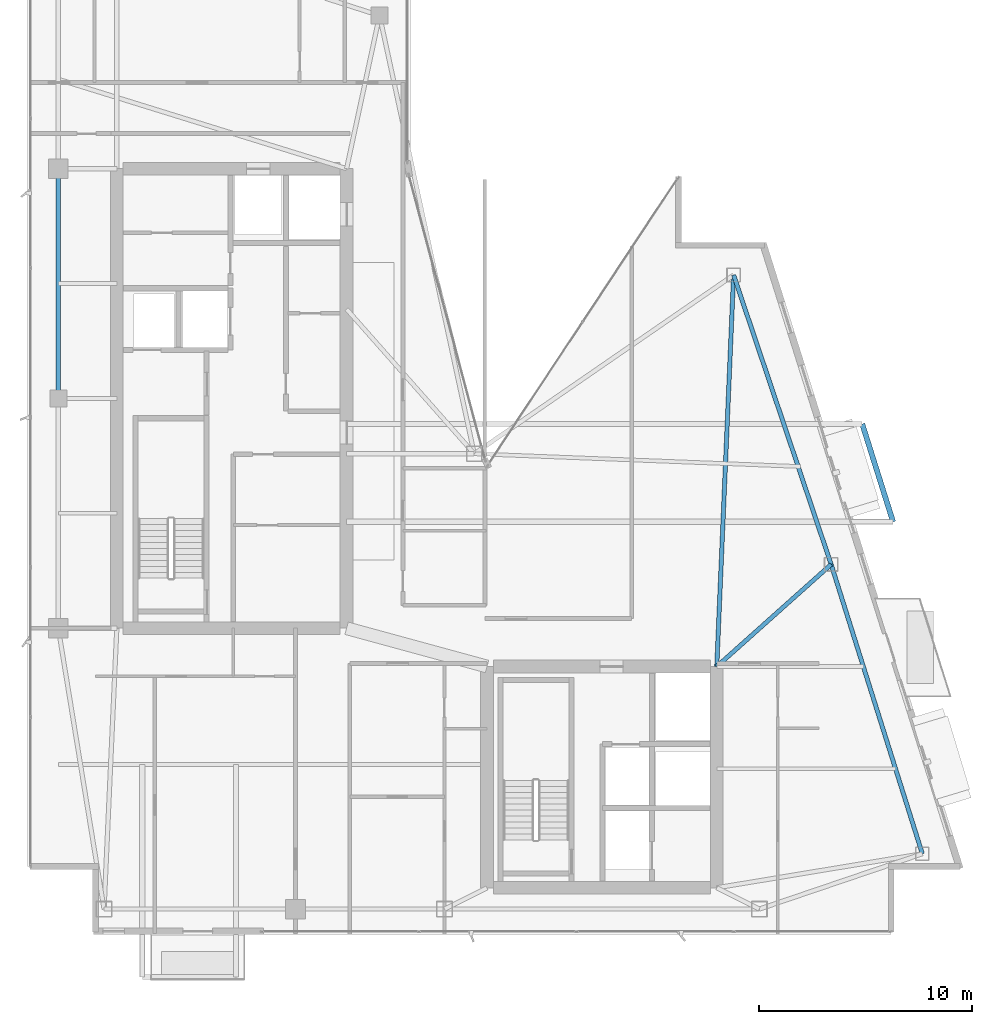
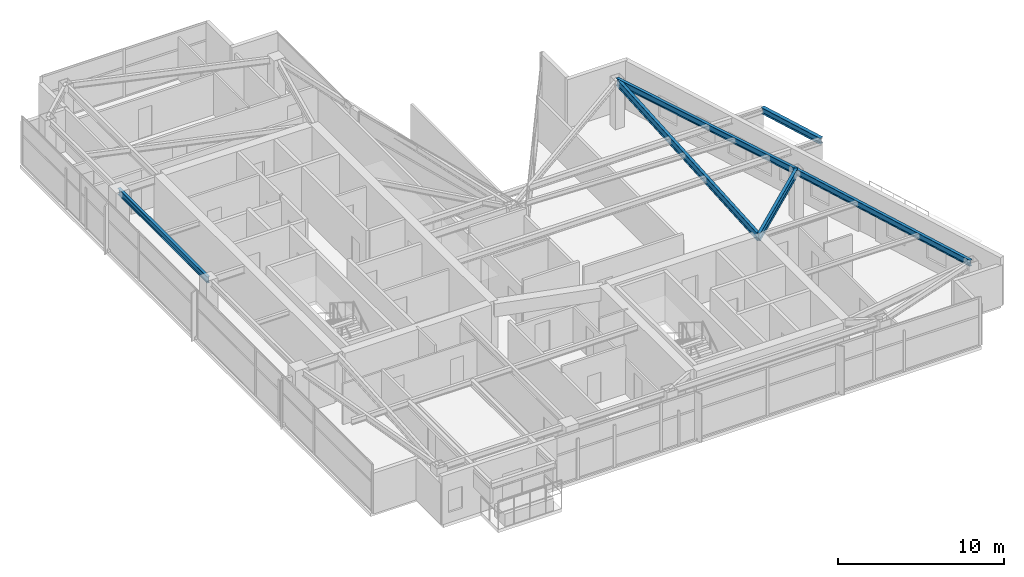
# One storey, part 15 of 28: 6 beams.
"""IFC4 building model written with IfcOpenShell, lengths in metres."""

from ifc_helpers import new_model, si_unit, direction, frame, origin, origin_2d, place, context, subcontext, project, spatial, i_section, extrude, material, material_profile, profile_set, type_object, element, save


model = new_model("IFC4")

# Units and contexts
model_context = context("Model", 3, precision=1e-05, world=origin(), true_north=direction((0.0, 1.0)))
body_context = subcontext(model_context, "Body", "Model", "MODEL_VIEW")
ifc_project = project(units=[si_unit("LENGTHUNIT", "METRE"), si_unit("AREAUNIT", "SQUARE_METRE"), si_unit("VOLUMEUNIT", "CUBIC_METRE"), si_unit("PLANEANGLEUNIT", "RADIAN"), si_unit("MASSUNIT", "GRAM", prefix="KILO")], contexts=[model_context])

# Site, building, storey
site_placement = place(None, origin())
site = spatial("IfcSite", under=ifc_project, at=site_placement, CompositionType="ELEMENT")
building_placement = place(site_placement, origin())
building = spatial("IfcBuilding", under=site, at=building_placement, Name="Calvorn Quay Hotel", CompositionType="ELEMENT")
storey_placement = place(building_placement, frame((0.0, 0.0, 274.89990234375)))
storey = spatial("IfcBuildingStorey", under=building, at=storey_placement, Name="L68", CompositionType="ELEMENT", Elevation=274.89990234375)

# Beams
ifc_material_1 = material(Name="Steel Q355B", Category="steel")
ifc_material_profile_1 = material_profile(ifc_material_1, i_section(OverallWidth=0.25, OverallDepth=0.449951171875, WebThickness=0.011962890625, FlangeThickness=0.01611328125, FilletRadius=0.01611328125, at=origin_2d()), Name="HN450x250x12x16")
ifc_profile_set_1 = profile_set([ifc_material_profile_1], Name="Steel Q355B")
beam_type_1 = type_object("IfcBeamType", Name="BM-CANT-BALC", PredefinedType="BEAM", material=ifc_profile_set_1)
beam_1_placement = place(storey_placement, frame((40.68603515625, 21.800048828125, 3.315185546875), z_axis=(-0.300450487966, 0.953797412599, 0.0), x_axis=(-0.953797412599, -0.300450487966, 0.0)))
element("IfcBeam", 1, at=beam_1_placement, inside=storey, type_object=beam_type_1, Name="Beam BCBO-L69-1", PredefinedType="BEAM", context=body_context, shape_type="SweptSolid", body=[
    extrude(i_section(OverallWidth=0.25, OverallDepth=0.449951171875, WebThickness=0.011962890625, FlangeThickness=0.01611328125, FilletRadius=0.01611328125, at=origin_2d()), origin(), (0.0, 0.0, 1.0), 4.82275390625),
])
ifc_material_2 = material(Name="Steel Q355B", Category="steel")
ifc_material_profile_2 = material_profile(ifc_material_2, i_section(OverallWidth=0.199951171875, OverallDepth=0.550048828125, WebThickness=0.010009765625, FlangeThickness=0.01611328125, FilletRadius=0.01806640625, at=origin_2d()), Name="HN550x200x10x16")
ifc_profile_set_2 = profile_set([ifc_material_profile_2], Name="Steel Q355B")
beam_type_2 = type_object("IfcBeamType", Name="BM-GIRD-UPP", PredefinedType="BEAM", material=ifc_profile_set_2)
beam_2_placement = place(storey_placement, frame((32.39990234375, 15.0, 3.26513671875), z_axis=(0.745932853197, 0.66602115471, 0.0), x_axis=(-0.66602115471, 0.745932853197, 0.0)))
element("IfcBeam", 2, at=beam_2_placement, inside=storey, type_object=beam_type_2, Name="Beam BG-L68-E2", PredefinedType="BEAM", context=body_context, shape_type="SweptSolid", body=[
    extrude(i_section(OverallWidth=0.199951171875, OverallDepth=0.550048828125, WebThickness=0.010009765625, FlangeThickness=0.01611328125, FilletRadius=0.01806640625, at=origin_2d()), origin(), (0.0, 0.0, 1.0), 7.20703125),
])
beam_3_placement = place(storey_placement, frame((32.39990234375, 15.0, 3.26513671875), z_axis=(0.042950536419, 0.999077199931, 0.0), x_axis=(-0.999077199931, 0.042950536419, 0.0)))
element("IfcBeam", 3, at=beam_3_placement, inside=storey, type_object=beam_type_2, Name="Beam BG-L68-E3", PredefinedType="BEAM", context=body_context, shape_type="SweptSolid", body=[
    extrude(i_section(OverallWidth=0.199951171875, OverallDepth=0.550048828125, WebThickness=0.010009765625, FlangeThickness=0.01611328125, FilletRadius=0.01806640625, at=origin_2d()), origin(), (0.0, 0.0, 1.0), 18.4169921875),
])
ifc_material_3 = material(Name="Steel Q355B", Category="steel")
ifc_material_profile_3 = material_profile(ifc_material_3, i_section(OverallWidth=0.199951171875, OverallDepth=0.449951171875, WebThickness=0.009033203125, FlangeThickness=0.013916015625, FilletRadius=0.01611328125, at=origin_2d()), Name="HN450x200x9x14")
ifc_profile_set_3 = profile_set([ifc_material_profile_3], Name="Steel Q355B")
beam_type_3 = type_object("IfcBeamType", Name="BM-SPANDREL-Z3", PredefinedType="SPANDREL", material=ifc_profile_set_3)
beam_4_placement = place(storey_placement, frame((1.449951171875, 27.60009765625, 3.315185546875), z_axis=(0.0, 1.0, 0.0), x_axis=(-1.0, 0.0, 0.0)))
element("IfcBeam", 4, at=beam_4_placement, inside=storey, type_object=beam_type_3, Name="Beam BSP-L68-W3", PredefinedType="SPANDREL", context=body_context, shape_type="SweptSolid", body=[
    extrude(i_section(OverallWidth=0.199951171875, OverallDepth=0.449951171875, WebThickness=0.009033203125, FlangeThickness=0.013916015625, FilletRadius=0.01611328125, at=origin_2d()), origin(), (0.0, 0.0, 1.0), 10.7998046875),
])
beam_5_placement = place(storey_placement, frame((42.06103515625, 6.199951171875, 3.315185546875), z_axis=(-0.300518378216, 0.953776024208, 0.0), x_axis=(-0.953776024208, -0.300518378216, 0.0)))
element("IfcBeam", 5, at=beam_5_placement, inside=storey, type_object=beam_type_3, Name="Beam BSP-L68-E1", PredefinedType="SPANDREL", context=body_context, shape_type="SweptSolid", body=[
    extrude(i_section(OverallWidth=0.199951171875, OverallDepth=0.449951171875, WebThickness=0.009033203125, FlangeThickness=0.013916015625, FilletRadius=0.01611328125, at=origin_2d()), origin(), (0.0, 0.0, 1.0), 14.25927734375),
])
beam_6_placement = place(storey_placement, frame((37.77587890625, 19.800048828125, 3.315185546875), z_axis=(-0.319466515944, 0.947597564998, 0.0), x_axis=(-0.947597564998, -0.319466515944, 0.0)))
element("IfcBeam", 6, at=beam_6_placement, inside=storey, type_object=beam_type_3, Name="Beam BSP-L68-E2", PredefinedType="SPANDREL", context=body_context, shape_type="SweptSolid", body=[
    extrude(i_section(OverallWidth=0.199951171875, OverallDepth=0.449951171875, WebThickness=0.009033203125, FlangeThickness=0.013916015625, FilletRadius=0.01611328125, at=origin_2d()), origin(), (0.0, 0.0, 1.0), 14.35205078125),
])

save(model, "model.ifc")
